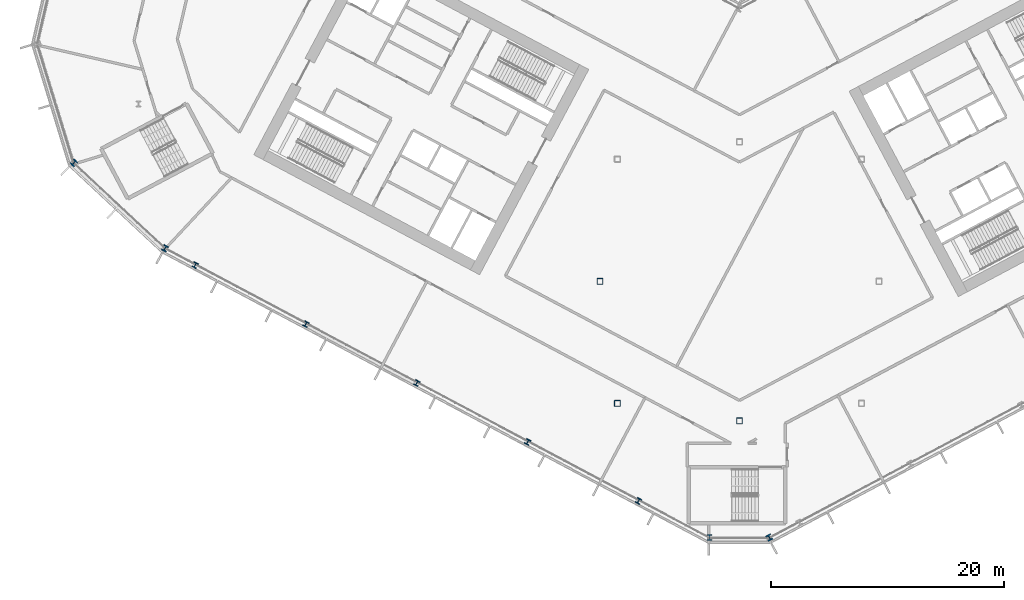
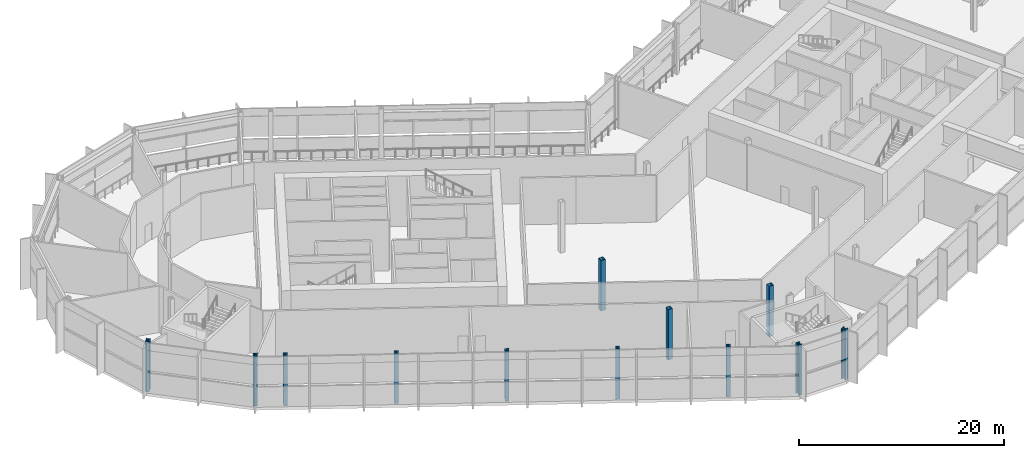
# One storey, part 1 of 33: 12 columns.
"""IFC4 building model written with IfcOpenShell, lengths in metres."""

from ifc_helpers import new_model, si_unit, direction, frame, origin, origin_2d, place, context, subcontext, project, spatial, hollow_rectangle, i_section, extrude, material, material_profile, profile_set, type_object, element, save


model = new_model("IFC4")

# Units and contexts
model_context = context("Model", 3, precision=1e-05, world=origin(), true_north=direction((0.0, 1.0)))
body_context = subcontext(model_context, "Body", "Model", "MODEL_VIEW")
ifc_project = project(units=[si_unit("LENGTHUNIT", "METRE"), si_unit("AREAUNIT", "SQUARE_METRE"), si_unit("VOLUMEUNIT", "CUBIC_METRE"), si_unit("PLANEANGLEUNIT", "RADIAN"), si_unit("MASSUNIT", "GRAM", prefix="KILO")], contexts=[model_context])

# Site, building, storey
site_placement = place(None, origin())
site = spatial("IfcSite", under=ifc_project, at=site_placement, CompositionType="ELEMENT")
building_placement = place(site_placement, origin())
building = spatial("IfcBuilding", under=site, at=building_placement, Name="Cormorant Relay Tower", CompositionType="ELEMENT")
storey_placement = place(building_placement, frame((0.0, 0.0, 112.199951171875)))
storey = spatial("IfcBuildingStorey", under=building, at=storey_placement, Name="L22", CompositionType="ELEMENT", Elevation=112.199951171875)

# Columns
ifc_material_1 = material(Name="Steel ASTM A500 Grade C (Fy 345 MPa)", Category="steel")
ifc_material_profile_1 = material_profile(ifc_material_1, hollow_rectangle(XDim=0.508056640625, YDim=0.508056640625, WallThickness=0.020751953125, InnerFilletRadius=0.01025390625, OuterFilletRadius=0.031005859375, at=origin_2d()), Name="HSS508x508x21")
ifc_profile_set_1 = profile_set([ifc_material_profile_1], Name="Steel ASTM A500 Grade C (Fy 345 MPa)")
column_type_1 = type_object("IfcColumnType", Name="Column HSS508x508x21", PredefinedType="COLUMN", material=ifc_profile_set_1)
for number, where, z_axis, x_axis, name in (
    (1, (0.0, -12.0, 0.0), (0.0, 0.0, 1.0), (1.0, 0.0, 0.0), "Column L22-007"),
    (2, (-10.5, -10.5, 0.0), (0.0, 0.0, 1.0), (1.0, 0.0, 0.0), "Column L22-009"),
    (3, (-12.0, 0.0, 0.0), (0.0, 0.0, 1.0), (1.0, 0.0, 0.0), "Column L22-015"),
):
    element("IfcColumn", number, at=place(storey_placement, frame(where, z_axis=z_axis, x_axis=x_axis)), inside=storey, type_object=column_type_1, Name=name, PredefinedType="COLUMN", context=body_context, shape_type="SweptSolid", body=[
        extrude(hollow_rectangle(XDim=0.508056640625, YDim=0.508056640625, WallThickness=0.020751953125, InnerFilletRadius=0.01025390625, OuterFilletRadius=0.031005859375, at=origin_2d()), origin(), (0.0, 0.0, 1.0), 6.0),
    ])
ifc_material_2 = material(Name="Steel ASTM A992 (Fy 345 MPa)", Category="steel")
ifc_material_profile_2 = material_profile(ifc_material_2, i_section(OverallWidth=0.42431640625, OverallDepth=0.47509765625, WebThickness=0.0478515625, FlangeThickness=0.0771484375, FilletRadius=0.014892578125, at=origin_2d()), Name="W360x634")
ifc_profile_set_2 = profile_set([ifc_material_profile_2], Name="Steel ASTM A992 (Fy 345 MPa)")
column_type_2 = type_object("IfcColumnType", Name="Column W360x634", PredefinedType="COLUMN", material=ifc_profile_set_2)
for number, where, z_axis, x_axis, name in (
    (4, (-8.68701171875, -18.89306640625, 0.0), (0.0, 0.0, 1.0), (0.882947592859, -0.469471562786, 0.0), "Column L22-004"),
    (5, (-18.222900390625, -13.822998046875, 0.0), (0.0, 0.0, 1.0), (0.882947592859, -0.469471562786, 0.0), "Column L22-006"),
    (6, (-27.758056640625, -8.7529296875, 0.0), (0.0, 0.0, 1.0), (0.882947592859, -0.469471562786, 0.0), "Column L22-011"),
    (7, (-37.2939453125, -3.681884765625, 0.0), (0.0, 0.0, 1.0), (0.882947592859, -0.469471562786, 0.0), "Column L22-013"),
    (8, (-46.830078125, 1.387939453125, 0.0), (0.0, 0.0, 1.0), (0.882947592859, -0.469471562786, 0.0), "Column L22-017"),
):
    element("IfcColumn", number, at=place(storey_placement, frame(where, z_axis=z_axis, x_axis=x_axis)), inside=storey, type_object=column_type_2, Name=name, PredefinedType="COLUMN", context=body_context, shape_type="SweptSolid", body=[
        extrude(i_section(OverallWidth=0.42431640625, OverallDepth=0.47509765625, WebThickness=0.0478515625, FlangeThickness=0.0771484375, FilletRadius=0.014892578125, at=origin_2d()), origin(), (0.0, 0.0, 1.0), 6.0),
    ])
ifc_material_3 = material(Name="Steel ASTM A992 (Fy 345 MPa)", Category="steel")
ifc_material_profile_3 = material_profile(ifc_material_3, i_section(OverallWidth=0.43701171875, OverallDepth=0.51318359375, WebThickness=0.060546875, FlangeThickness=0.096923828125, FilletRadius=0.015380859375, at=origin_2d()), Name="W360x818")
ifc_profile_set_3 = profile_set([ifc_material_profile_3], Name="Steel ASTM A992 (Fy 345 MPa)")
column_type_3 = type_object("IfcColumnType", Name="Column W360x818", PredefinedType="COLUMN", material=ifc_profile_set_3)
for number, where, z_axis, x_axis, name in (
    (9, (-2.56689453125, -22.0458984375, 0.0), (0.0, 0.0, 1.0), (1.0, 0.0, 0.0), "Column L22-001"),
    (10, (2.56689453125, -22.0458984375, 0.0), (0.0, 0.0, 1.0), (0.882947592859, 0.469471562786, 0.0), "Column L22-002"),
    (11, (-49.412109375, 2.8369140625, 0.0), (0.0, 0.0, 1.0), (0.882947592859, -0.469471562786, 0.0), "Column L22-018"),
    (12, (-57.2451171875, 10.18310546875, 0.0), (0.0, 0.0, 1.0), (0.731353701619, -0.681998360062, 0.0), "Column L22-021"),
):
    element("IfcColumn", number, at=place(storey_placement, frame(where, z_axis=z_axis, x_axis=x_axis)), inside=storey, type_object=column_type_3, Name=name, PredefinedType="COLUMN", context=body_context, shape_type="SweptSolid", body=[
        extrude(i_section(OverallWidth=0.43701171875, OverallDepth=0.51318359375, WebThickness=0.060546875, FlangeThickness=0.096923828125, FilletRadius=0.015380859375, at=origin_2d()), origin(), (0.0, 0.0, 1.0), 6.0),
    ])

save(model, "model.ifc")
